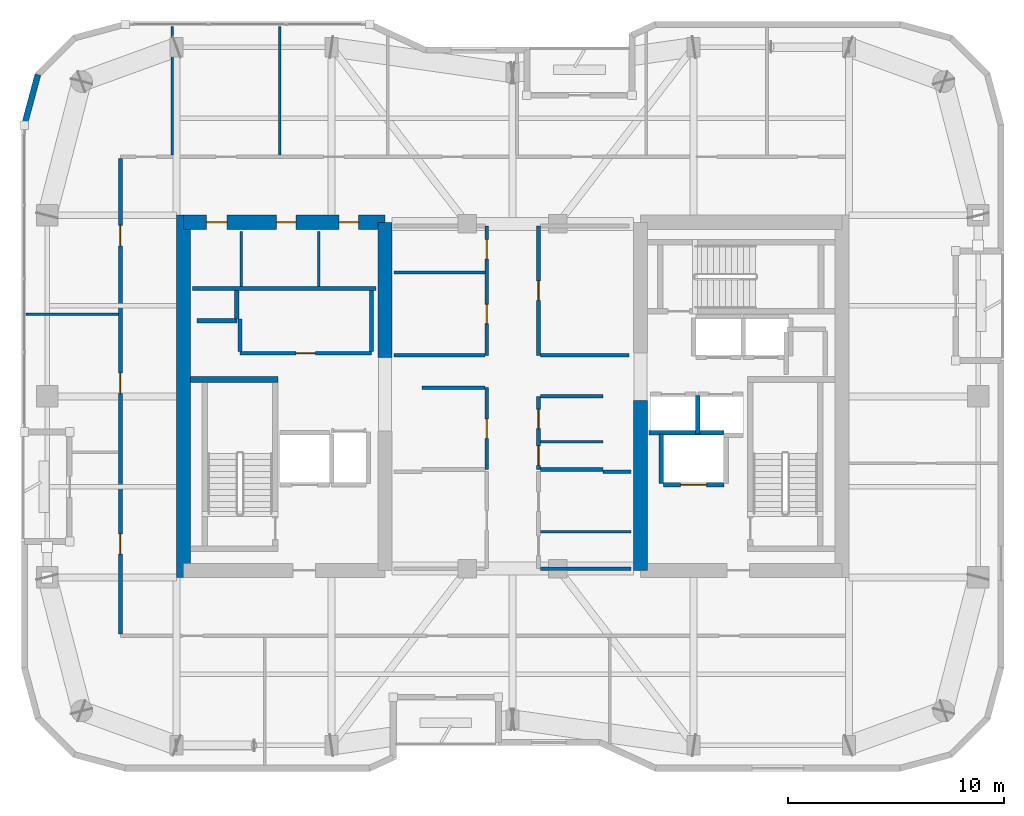
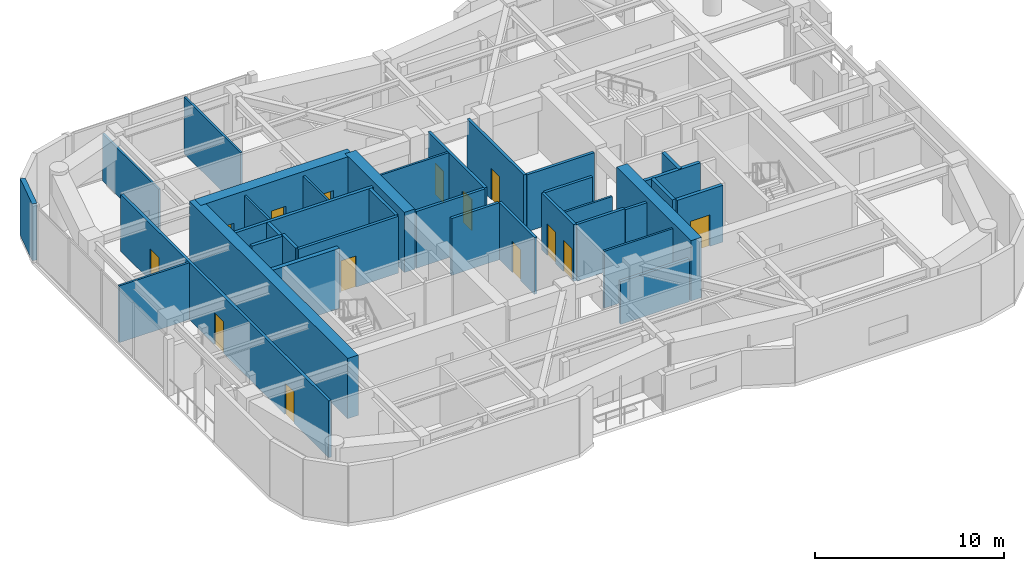
# One storey, part 11 of 15: 36 walls, 14 doors, 14 openings.
"""IFC4 building model written with IfcOpenShell, lengths in metres."""

from ifc_helpers import new_model, si_unit, direction, frame, frame_2d, origin, place, context, subcontext, project, spatial, rectangle, extrude, material, layer, layer_set, type_object, element, fill, save


model = new_model("IFC4")

# Units and contexts
model_context = context("Model", 3, precision=1e-05, world=origin(), true_north=direction((0.0, 1.0)))
body_context = subcontext(model_context, "Body", "Model", "MODEL_VIEW")
ifc_project = project(units=[si_unit("LENGTHUNIT", "METRE"), si_unit("AREAUNIT", "SQUARE_METRE"), si_unit("VOLUMEUNIT", "CUBIC_METRE"), si_unit("PLANEANGLEUNIT", "RADIAN"), si_unit("MASSUNIT", "GRAM", prefix="KILO")], contexts=[model_context])

# Site, building, storey
site_placement = place(None, origin())
site = spatial("IfcSite", under=ifc_project, at=site_placement, CompositionType="ELEMENT")
building_placement = place(site_placement, origin())
building = spatial("IfcBuilding", under=site, at=building_placement, Name="Kiyonajd Concourse Tower", CompositionType="ELEMENT")
storey_placement = place(building_placement, frame((0.0, 0.0, 258.89990234375)))
storey = spatial("IfcBuildingStorey", under=building, at=storey_placement, Name="L65", CompositionType="ELEMENT", Elevation=258.89990234375)

# Walls
ifc_material_1 = material(Name="Concrete C60/75", Category="concrete")
ifc_layer_1 = layer(ifc_material_1, 0.64990234375)
ifc_layer_set_1 = layer_set([ifc_layer_1], Name="Concrete C60/75")
wall_type_1 = type_object("IfcWallType", Name="WL-CORE-650", PredefinedType="SHEAR", material=ifc_layer_set_1)
wall_1_placement = place(storey_placement, frame((32.72509765625, 27.60009765625, 0.0), z_axis=(0.0, 0.0, 1.0), x_axis=(0.0, 1.0, 0.0)))
element("IfcWall", 1, at=wall_1_placement, inside=storey, type_object=wall_type_1, Name="L65 West Core Outer Shear Wall", PredefinedType="SHEAR", context=body_context, shape_type="SweptSolid", body=[
    extrude(rectangle(XDim=16.7998046875, YDim=0.64990234375, at=frame_2d((8.39990234375, 0.0))), origin(), (0.0, 0.0, 1.0), 3.900146484375),
])
wall_2_placement = place(storey_placement, frame((42.074951171875, 37.800048828125, 0.0), z_axis=(0.0, 0.0, 1.0), x_axis=(0.0, 1.0, 0.0)))
element("IfcWall", 2, at=wall_2_placement, inside=storey, type_object=wall_type_1, Name="L65 West Core Inner North Shear Wall", PredefinedType="SHEAR", context=body_context, shape_type="SweptSolid", body=[
    extrude(rectangle(XDim=6.27490234375, YDim=0.64990234375, at=frame_2d((3.137451171875, 0.0))), origin(), (0.0, 0.0, 1.0), 3.900146484375),
])

# Wall, openings, doors
wall_3_placement = place(storey_placement, frame((32.72509765625, 44.074951171875, 0.0), z_axis=(0.0, 0.0, 1.0), x_axis=(1.0, 0.0, 0.0)))
wall_3 = element("IfcWall", 3, at=wall_3_placement, inside=storey, type_object=wall_type_1, Name="L65 West Core North Shear Wall", PredefinedType="SHEAR", context=body_context, shape_type="SweptSolid", body=[
    extrude(rectangle(XDim=9.349853515625, YDim=0.64990234375, at=frame_2d((4.6748046875, 0.0))), origin(), (0.0, 0.0, 1.0), 3.900146484375),
])
opening_1_placement = place(wall_3_placement, frame((1.074951171875, 0.0, 0.0)))
opening_1 = element("IfcOpeningElement", 4, at=opening_1_placement, cuts=wall_3, Name="Opening DI1", PredefinedType="OPENING", context=body_context, shape_type="SweptSolid", body=[
    extrude(rectangle(XDim=0.949951171875, YDim=2.0400390625, at=frame_2d((0.47509765625, 1.02001953125))), frame((0.0, 0.3349609375, 0.0), z_axis=(0.0, -1.0, 0.0), x_axis=(1.0, 0.0, 0.0)), (0.0, 0.0, 1.0), 0.669921875),
])
opening_2_placement = place(wall_3_placement, frame((4.324951171875, 0.0, 0.0)))
opening_2 = element("IfcOpeningElement", 5, at=opening_2_placement, cuts=wall_3, Name="Opening DI2", PredefinedType="OPENING", context=body_context, shape_type="SweptSolid", body=[
    extrude(rectangle(XDim=0.89990234375, YDim=2.02001953125, at=frame_2d((0.449951171875, 1.010009765625))), frame((0.0, 0.3349609375, 0.0), z_axis=(0.0, -1.0, 0.0), x_axis=(1.0, 0.0, 0.0)), (0.0, 0.0, 1.0), 0.669921875),
])
opening_3_placement = place(wall_3_placement, frame((7.22509765625, 0.0, 0.0)))
opening_3 = element("IfcOpeningElement", 6, at=opening_3_placement, cuts=wall_3, Name="Opening DI2", PredefinedType="OPENING", context=body_context, shape_type="SweptSolid", body=[
    extrude(rectangle(XDim=0.89990234375, YDim=2.02001953125, at=frame_2d((0.449951171875, 1.010009765625))), frame((0.0, 0.3349609375, 0.0), z_axis=(0.0, -1.0, 0.0), x_axis=(1.0, 0.0, 0.0)), (0.0, 0.0, 1.0), 0.669921875),
])
ifc_material_2 = material(Name="Natural Oak Acoustic Timber Veneer", Category="wood")
door_type_1 = type_object("IfcDoorType", Name="DR-INT-900", OperationType="NOTDEFINED", PredefinedType="DOOR", material=ifc_material_2)
door_1_placement = place(opening_2_placement, origin())
door_1 = element("IfcDoor", 7, at=door_1_placement, inside=storey, type_object=door_type_1, Name="L65 Male Restroom Door", OperationType="SINGLE_SWING_RIGHT", OverallHeight=2.02001953125, OverallWidth=0.89990234375, PredefinedType="DOOR", context=body_context, shape_type="SweptSolid", body=[
    extrude(rectangle(XDim=0.89990234375, YDim=2.02001953125, at=frame_2d((0.449951171875, 1.010009765625))), frame((0.0, 0.02490234375, 0.0), z_axis=(0.0, -1.0, 0.0), x_axis=(1.0, 0.0, 0.0)), (0.0, 0.0, 1.0), 0.050048828125),
])
fill(opening_2, door_1)
door_2_placement = place(opening_3_placement, origin())
door_2 = element("IfcDoor", 8, at=door_2_placement, inside=storey, type_object=door_type_1, Name="L65 Female Restroom Door", OperationType="SINGLE_SWING_LEFT", OverallHeight=2.02001953125, OverallWidth=0.89990234375, PredefinedType="DOOR", context=body_context, shape_type="SweptSolid", body=[
    extrude(rectangle(XDim=0.89990234375, YDim=2.02001953125, at=frame_2d((0.449951171875, 1.010009765625))), frame((0.0, 0.02490234375, 0.0), z_axis=(0.0, -1.0, 0.0), x_axis=(1.0, 0.0, 0.0)), (0.0, 0.0, 1.0), 0.050048828125),
])
fill(opening_3, door_2)
door_type_2 = type_object("IfcDoorType", Name="DR-INT-950", OperationType="NOTDEFINED", PredefinedType="DOOR", material=ifc_material_2)
door_3_placement = place(opening_1_placement, origin())
door_3 = element("IfcDoor", 9, at=door_3_placement, inside=storey, type_object=door_type_2, Name="L65 Single User Accessible WC Door", OperationType="SINGLE_SWING_LEFT", OverallHeight=2.0400390625, OverallWidth=0.949951171875, PredefinedType="DOOR", context=body_context, shape_type="SweptSolid", body=[
    extrude(rectangle(XDim=0.949951171875, YDim=2.0400390625, at=frame_2d((0.47509765625, 1.02001953125))), frame((0.0, 0.02490234375, 0.0), z_axis=(0.0, -1.0, 0.0), x_axis=(1.0, 0.0, 0.0)), (0.0, 0.0, 1.0), 0.050048828125),
])
fill(opening_1, door_3)

# Walls
wall_4_placement = place(storey_placement, frame((53.925048828125, 27.925048828125, 0.0), z_axis=(0.0, 0.0, 1.0), x_axis=(0.0, 1.0, 0.0)))
element("IfcWall", 10, at=wall_4_placement, inside=storey, type_object=wall_type_1, Name="L65 East Core Inner South Shear Wall", PredefinedType="SHEAR", context=body_context, shape_type="SweptSolid", body=[
    extrude(rectangle(XDim=7.875, YDim=0.64990234375, at=frame_2d((3.9375, 0.0))), origin(), (0.0, 0.0, 1.0), 3.900146484375),
])
ifc_material_3 = material(Name="Precast concrete C50/60", Category="concrete")
ifc_layer_2 = layer(ifc_material_3, 0.280029296875)
ifc_layer_set_2 = layer_set([ifc_layer_2], Name="Precast concrete C50/60")
wall_type_2 = type_object("IfcWallType", Name="WL-EXT-280", PredefinedType="SOLIDWALL", material=ifc_layer_set_2)
wall_5_placement = place(storey_placement, frame((25.340087890625, 48.58154296875, 0.0), z_axis=(0.0, 0.0, 1.0), x_axis=(0.258751159445, 0.965944013639, 0.0)))
element("IfcWall", 11, at=wall_5_placement, inside=storey, type_object=wall_type_2, Name="L65 Exterior Concrete Frame Wall 06", PredefinedType="SOLIDWALL", context=body_context, shape_type="SweptSolid", body=[
    extrude(rectangle(XDim=2.4287109375, YDim=0.280029296875, at=frame_2d((1.21435546875, 0.0))), origin(), (0.0, 0.0, 1.0), 3.68017578125),
])
ifc_material_4 = material(Name="Gypsum Board on Cold-Formed Steel Stud", Category="steel")
ifc_layer_3 = layer(ifc_material_4, 0.125)
ifc_layer_set_3 = layer_set([ifc_layer_3], Name="Gypsum Board on Cold-Formed Steel Stud")
wall_type_3 = type_object("IfcWallType", Name="WL-PART-125", PredefinedType="PARTITIONING", material=ifc_layer_set_3)
for number, where, z_axis, x_axis, name in (
    (12, (35.39990234375, 41.094970703125, 0.0), (0.0, 0.0, 1.0), (0.0, 1.0, 0.0), "L65 Interior Partition Wall"),
    (13, (39.0, 41.094970703125, 0.0), (0.0, 0.0, 1.0), (0.0, 1.0, 0.0), "L65 Interior Partition Wall"),
):
    element("IfcWall", number, at=place(storey_placement, frame(where, z_axis=z_axis, x_axis=x_axis)), inside=storey, type_object=wall_type_3, Name=name, PredefinedType="PARTITIONING", context=body_context, shape_type="SweptSolid", body=[
        extrude(rectangle(XDim=2.554931640625, YDim=0.125, at=frame_2d((1.27734375, 0.0))), origin(), (0.0, 0.0, 1.0), 3.68017578125),
    ])
wall_6_placement = place(storey_placement, frame((49.287109375, 33.89208984375, 0.0), z_axis=(0.0, 0.0, 1.0), x_axis=(1.0, 0.0, 0.0)))
element("IfcWall", 14, at=wall_6_placement, inside=storey, type_object=wall_type_3, Name="L65 Interior Partition Wall", PredefinedType="PARTITIONING", context=body_context, shape_type="SweptSolid", body=[
    extrude(rectangle(XDim=2.912841796875, YDim=0.125, at=frame_2d((1.45654296875, 0.0))), origin(), (0.0, 0.0, 1.0), 3.68017578125),
])
for number, where, z_axis, x_axis, name in (
    (15, (49.287109375, 29.7099609375, 0.0), (0.0, 0.0, 1.0), (1.0, 0.0, 0.0), "L65 Interior Partition Wall"),
    (16, (42.5, 41.739990234375, 0.0), (0.0, 0.0, 1.0), (1.0, 0.0, 0.0), "L65 Interior Partition Wall"),
):
    element("IfcWall", number, at=place(storey_placement, frame(where, z_axis=z_axis, x_axis=x_axis)), inside=storey, type_object=wall_type_3, Name=name, PredefinedType="PARTITIONING", context=body_context, shape_type="SweptSolid", body=[
        extrude(rectangle(XDim=4.212890625, YDim=0.125, at=frame_2d((2.1064453125, 0.0))), origin(), (0.0, 0.0, 1.0), 3.68017578125),
    ])
wall_7_placement = place(storey_placement, frame((32.199951171875, 47.197021484375, 0.0), z_axis=(0.0, 0.0, 1.0), x_axis=(0.0, 1.0, 0.0)))
element("IfcWall", 17, at=wall_7_placement, inside=storey, type_object=wall_type_3, Name="L65 Interior Partition Wall", PredefinedType="PARTITIONING", context=body_context, shape_type="SweptSolid", body=[
    extrude(rectangle(XDim=5.968017578125, YDim=0.125, at=frame_2d((2.98388671875, 0.0))), origin(), (0.0, 0.0, 1.0), 3.05419921875),
])
wall_8_placement = place(storey_placement, frame((37.199951171875, 47.197021484375, 0.0), z_axis=(0.0, 0.0, 1.0), x_axis=(0.0, 1.0, 0.0)))
element("IfcWall", 18, at=wall_8_placement, inside=storey, type_object=wall_type_3, Name="L65 Interior Partition Wall", PredefinedType="PARTITIONING", context=body_context, shape_type="SweptSolid", body=[
    extrude(rectangle(XDim=5.968017578125, YDim=0.125, at=frame_2d((2.98388671875, 0.0))), origin(), (0.0, 0.0, 1.0), 3.68017578125),
])
wall_9_placement = place(storey_placement, frame((25.425048828125, 39.800048828125, 0.0), z_axis=(0.0, 0.0, 1.0), x_axis=(1.0, 0.0, 0.0)))
element("IfcWall", 19, at=wall_9_placement, inside=storey, type_object=wall_type_3, Name="L65 Interior Partition Wall", PredefinedType="PARTITIONING", context=body_context, shape_type="SweptSolid", body=[
    extrude(rectangle(XDim=4.287841796875, YDim=0.125, at=frame_2d((2.14404296875, 0.0))), origin(), (0.0, 0.0, 1.0), 3.68017578125),
])
ifc_layer_4 = layer(ifc_material_4, 0.18994140625)
ifc_layer_set_4 = layer_set([ifc_layer_4], Name="Gypsum Board on Cold-Formed Steel Stud")
wall_type_4 = type_object("IfcWallType", Name="WL-PLMB-190", PredefinedType="PLUMBINGWALL", material=ifc_layer_set_4)
wall_10_placement = place(storey_placement, frame((33.14990234375, 41.0, 0.0), z_axis=(0.0, 0.0, 1.0), x_axis=(1.0, 0.0, 0.0)))
element("IfcWall", 20, at=wall_10_placement, inside=storey, type_object=wall_type_4, Name="L65 Interior Partition Wall", PredefinedType="PLUMBINGWALL", context=body_context, shape_type="SweptSolid", body=[
    extrude(rectangle(XDim=8.5, YDim=0.18994140625, at=frame_2d((4.25, 0.0))), origin(), (0.0, 0.0, 1.0), 3.68017578125),
])
ifc_layer_5 = layer(ifc_material_4, 0.2099609375)
ifc_layer_set_5 = layer_set([ifc_layer_5], Name="Gypsum Board on Cold-Formed Steel Stud")
wall_type_5 = type_object("IfcWallType", Name="WL-SHAFT-210", PredefinedType="PARTITIONING", material=ifc_layer_set_5)
wall_11_placement = place(storey_placement, frame((33.360107421875, 39.5, 0.0), z_axis=(0.0, 0.0, 1.0), x_axis=(1.0, 0.0, 0.0)))
element("IfcWall", 21, at=wall_11_placement, inside=storey, type_object=wall_type_5, Name="L65 Shaft Enclosure Wall", PredefinedType="PARTITIONING", context=body_context, shape_type="SweptSolid", body=[
    extrude(rectangle(XDim=1.85986328125, YDim=0.2099609375, at=frame_2d((0.929931640625, 0.0))), origin(), (0.0, 0.0, 1.0), 3.68017578125),
])
wall_12_placement = place(storey_placement, frame((35.199951171875, 39.580078125, 0.0), z_axis=(0.0, 0.0, 1.0), x_axis=(0.0, 1.0, 0.0)))
element("IfcWall", 22, at=wall_12_placement, inside=storey, type_object=wall_type_5, Name="L65 Shaft Enclosure Wall", PredefinedType="PARTITIONING", context=body_context, shape_type="SweptSolid", body=[
    extrude(rectangle(XDim=1.31982421875, YDim=0.2099609375, at=frame_2d((0.659912109375, 0.0))), origin(), (0.0, 0.0, 1.0), 3.68017578125),
])

# Wall, opening, door
wall_13_placement = place(storey_placement, frame((55.0, 31.89990234375, 0.0), z_axis=(0.0, 0.0, 1.0), x_axis=(1.0, 0.0, 0.0)))
wall_13 = element("IfcWall", 23, at=wall_13_placement, inside=storey, type_object=wall_type_5, Name="L65 Shaft Enclosure Wall", PredefinedType="PARTITIONING", context=body_context, shape_type="SweptSolid", body=[
    extrude(rectangle(XDim=2.800048828125, YDim=0.2099609375, at=frame_2d((1.39990234375, 0.0))), origin(), (0.0, 0.0, 1.0), 3.68017578125),
])
opening_4_placement = place(wall_13_placement, frame((0.800048828125, 0.0, 0.0)))
opening_4 = element("IfcOpeningElement", 24, at=opening_4_placement, cuts=wall_13, Name="Opening LD2", PredefinedType="OPENING", context=body_context, shape_type="SweptSolid", body=[
    extrude(rectangle(XDim=1.199951171875, YDim=2.0400390625, at=frame_2d((0.60009765625, 1.02001953125))), frame((0.0, 0.114990234375, 0.0), z_axis=(0.0, -1.0, 0.0), x_axis=(1.0, 0.0, 0.0)), (0.0, 0.0, 1.0), 0.22998046875),
])
ifc_material_5 = material(Name="Brushed Stainless Steel Cab Assembly", Category="steel")
door_type_3 = type_object("IfcDoorType", Name="DR-LD-1200", OperationType="DOUBLE_DOOR_SLIDING", PredefinedType="DOOR", material=ifc_material_5)
door_4_placement = place(opening_4_placement, origin())
door_4 = element("IfcDoor", 25, at=door_4_placement, inside=storey, type_object=door_type_3, Name="L65 Lift FFL2 Sliding Landing Door", OperationType="DOUBLE_DOOR_SLIDING", OverallHeight=2.0400390625, OverallWidth=1.199951171875, PredefinedType="DOOR", context=body_context, shape_type="SweptSolid", body=[
    extrude(rectangle(XDim=1.199951171875, YDim=2.0400390625, at=frame_2d((0.60009765625, 1.02001953125))), frame((0.0, 0.02490234375, 0.0), z_axis=(0.0, -1.0, 0.0), x_axis=(1.0, 0.0, 0.0)), (0.0, 0.0, 1.0), 0.050048828125),
])
fill(opening_4, door_4)

# Walls
wall_14_placement = place(storey_placement, frame((54.320068359375, 34.300048828125, 0.0), z_axis=(0.0, 0.0, 1.0), x_axis=(1.0, 0.0, 0.0)))
element("IfcWall", 26, at=wall_14_placement, inside=storey, type_object=wall_type_5, Name="L65 Shaft Enclosure Wall", PredefinedType="PARTITIONING", context=body_context, shape_type="SweptSolid", body=[
    extrude(rectangle(XDim=3.47998046875, YDim=0.2099609375, at=frame_2d((1.739990234375, 0.0))), origin(), (0.0, 0.0, 1.0), 3.68017578125),
])
wall_15_placement = place(storey_placement, frame((54.89990234375, 31.9599609375, 0.0), z_axis=(0.0, 0.0, 1.0), x_axis=(0.0, 1.0, 0.0)))
element("IfcWall", 27, at=wall_15_placement, inside=storey, type_object=wall_type_5, Name="L65 Shaft Enclosure Wall", PredefinedType="PARTITIONING", context=body_context, shape_type="SweptSolid", body=[
    extrude(rectangle(XDim=2.280029296875, YDim=0.2099609375, at=frame_2d((1.14013671875, 0.0))), origin(), (0.0, 0.0, 1.0), 3.68017578125),
])
wall_16_placement = place(storey_placement, frame((56.60009765625, 34.260009765625, 0.0), z_axis=(0.0, 0.0, 1.0), x_axis=(0.0, 1.0, 0.0)))
element("IfcWall", 28, at=wall_16_placement, inside=storey, type_object=wall_type_5, Name="L65 Shaft Enclosure Wall", PredefinedType="PARTITIONING", context=body_context, shape_type="SweptSolid", body=[
    extrude(rectangle(XDim=1.780029296875, YDim=0.2099609375, at=frame_2d((0.89013671875, 0.0))), origin(), (0.0, 0.0, 1.0), 3.68017578125),
])

# Wall, opening, door
ifc_layer_6 = layer(ifc_material_4, 0.169921875)
ifc_layer_set_6 = layer_set([ifc_layer_6], Name="Gypsum Board on Cold-Formed Steel Stud")
wall_type_6 = type_object("IfcWallType", Name="WL-SMK-170", PredefinedType="PARTITIONING", material=ifc_layer_set_6)
wall_17_placement = place(storey_placement, frame((35.35009765625, 38.0, 0.0), z_axis=(0.0, 0.0, 1.0), x_axis=(1.0, 0.0, 0.0)))
wall_17 = element("IfcWall", 29, at=wall_17_placement, inside=storey, type_object=wall_type_6, Name="L65 Interior Partition Wall", PredefinedType="PARTITIONING", context=body_context, shape_type="SweptSolid", body=[
    extrude(rectangle(XDim=6.099853515625, YDim=0.169921875, at=frame_2d((3.0498046875, 0.0))), origin(), (0.0, 0.0, 1.0), 3.68017578125),
])
opening_5_placement = place(wall_17_placement, frame((2.60009765625, 0.0, 0.0)))
opening_5 = element("IfcOpeningElement", 30, at=opening_5_placement, cuts=wall_17, Name="Opening DI2", PredefinedType="OPENING", context=body_context, shape_type="SweptSolid", body=[
    extrude(rectangle(XDim=0.89990234375, YDim=2.02001953125, at=frame_2d((0.449951171875, 1.010009765625))), frame((0.0, 0.094970703125, 0.0), z_axis=(0.0, -1.0, 0.0), x_axis=(1.0, 0.0, 0.0)), (0.0, 0.0, 1.0), 0.18994140625),
])
door_5_placement = place(opening_5_placement, origin())
door_5 = element("IfcDoor", 31, at=door_5_placement, inside=storey, type_object=door_type_1, Name="L65 Interior Door", OperationType="SINGLE_SWING_LEFT", OverallHeight=2.02001953125, OverallWidth=0.89990234375, PredefinedType="DOOR", context=body_context, shape_type="SweptSolid", body=[
    extrude(rectangle(XDim=0.89990234375, YDim=2.02001953125, at=frame_2d((0.449951171875, 1.010009765625))), frame((0.0, 0.02490234375, 0.0), z_axis=(0.0, -1.0, 0.0), x_axis=(1.0, 0.0, 0.0)), (0.0, 0.0, 1.0), 0.050048828125),
])
fill(opening_5, door_5)

# Walls
wall_18_placement = place(storey_placement, frame((35.35009765625, 38.0869140625, 0.0), z_axis=(0.0, 0.0, 1.0), x_axis=(0.0, 1.0, 0.0)))
element("IfcWall", 32, at=wall_18_placement, inside=storey, type_object=wall_type_6, Name="L65 Interior Partition Wall", PredefinedType="PARTITIONING", context=body_context, shape_type="SweptSolid", body=[
    extrude(rectangle(XDim=1.4931640625, YDim=0.169921875, at=frame_2d((0.74658203125, 0.0))), origin(), (0.0, 0.0, 1.0), 3.68017578125),
])
wall_19_placement = place(storey_placement, frame((41.449951171875, 38.0869140625, 0.0), z_axis=(0.0, 0.0, 1.0), x_axis=(0.0, 1.0, 0.0)))
element("IfcWall", 33, at=wall_19_placement, inside=storey, type_object=wall_type_6, Name="L65 Interior Partition Wall", PredefinedType="PARTITIONING", context=body_context, shape_type="SweptSolid", body=[
    extrude(rectangle(XDim=2.81298828125, YDim=0.169921875, at=frame_2d((1.406494140625, 0.0))), origin(), (0.0, 0.0, 1.0), 3.68017578125),
])

# Wall, opening, door
wall_20_placement = place(storey_placement, frame((46.800048828125, 32.60009765625, 0.0), z_axis=(0.0, 0.0, 1.0), x_axis=(0.0, 1.0, 0.0)))
wall_20 = element("IfcWall", 34, at=wall_20_placement, inside=storey, type_object=wall_type_6, Name="L65 Interior Partition Wall", PredefinedType="PARTITIONING", context=body_context, shape_type="SweptSolid", body=[
    extrude(rectangle(XDim=3.7998046875, YDim=0.169921875, at=frame_2d((1.89990234375, 0.0))), origin(), (0.0, 0.0, 1.0), 3.68017578125),
])
opening_6_placement = place(wall_20_placement, frame((1.449951171875, 0.0, 0.0)))
opening_6 = element("IfcOpeningElement", 35, at=opening_6_placement, cuts=wall_20, Name="Opening DI2", PredefinedType="OPENING", context=body_context, shape_type="SweptSolid", body=[
    extrude(rectangle(XDim=0.89990234375, YDim=2.02001953125, at=frame_2d((0.449951171875, 1.010009765625))), frame((0.0, 0.094970703125, 0.0), z_axis=(0.0, -1.0, 0.0), x_axis=(1.0, 0.0, 0.0)), (0.0, 0.0, 1.0), 0.18994140625),
])
door_6_placement = place(opening_6_placement, origin())
door_6 = element("IfcDoor", 36, at=door_6_placement, inside=storey, type_object=door_type_1, Name="L65 Interior Door", OperationType="SINGLE_SWING_RIGHT", OverallHeight=2.02001953125, OverallWidth=0.89990234375, PredefinedType="DOOR", context=body_context, shape_type="SweptSolid", body=[
    extrude(rectangle(XDim=0.89990234375, YDim=2.02001953125, at=frame_2d((0.449951171875, 1.010009765625))), frame((0.0, 0.02490234375, 0.0), z_axis=(0.0, -1.0, 0.0), x_axis=(1.0, 0.0, 0.0)), (0.0, 0.0, 1.0), 0.050048828125),
])
fill(opening_6, door_6)

# Wall
wall_21_placement = place(storey_placement, frame((43.800048828125, 36.39990234375, 0.0), z_axis=(0.0, 0.0, 1.0), x_axis=(1.0, 0.0, 0.0)))
element("IfcWall", 37, at=wall_21_placement, inside=storey, type_object=wall_type_6, Name="L65 Interior Partition Wall", PredefinedType="PARTITIONING", context=body_context, shape_type="SweptSolid", body=[
    extrude(rectangle(XDim=2.912841796875, YDim=0.169921875, at=frame_2d((1.45654296875, 0.0))), origin(), (0.0, 0.0, 1.0), 3.68017578125),
])

# Wall, openings, doors
wall_22_placement = place(storey_placement, frame((49.199951171875, 32.60009765625, 0.0), z_axis=(0.0, 0.0, 1.0), x_axis=(0.0, 1.0, 0.0)))
wall_22 = element("IfcWall", 38, at=wall_22_placement, inside=storey, type_object=wall_type_6, Name="L65 Interior Partition Wall", PredefinedType="PARTITIONING", context=body_context, shape_type="SweptSolid", body=[
    extrude(rectangle(XDim=3.39990234375, YDim=0.169921875, at=frame_2d((1.699951171875, 0.0))), origin(), (0.0, 0.0, 1.0), 3.68017578125),
])
opening_7_placement = place(wall_22_placement, frame((0.196044921875, 0.0, 0.0)))
opening_7 = element("IfcOpeningElement", 39, at=opening_7_placement, cuts=wall_22, Name="Opening DI2", PredefinedType="OPENING", context=body_context, shape_type="SweptSolid", body=[
    extrude(rectangle(XDim=0.89990234375, YDim=2.02001953125, at=frame_2d((0.449951171875, 1.010009765625))), frame((0.0, 0.094970703125, 0.0), z_axis=(0.0, -1.0, 0.0), x_axis=(1.0, 0.0, 0.0)), (0.0, 0.0, 1.0), 0.18994140625),
])
opening_8_placement = place(wall_22_placement, frame((1.89599609375, 0.0, 0.0)))
opening_8 = element("IfcOpeningElement", 40, at=opening_8_placement, cuts=wall_22, Name="Opening DI2", PredefinedType="OPENING", context=body_context, shape_type="SweptSolid", body=[
    extrude(rectangle(XDim=0.89990234375, YDim=2.02001953125, at=frame_2d((0.449951171875, 1.010009765625))), frame((0.0, 0.094970703125, 0.0), z_axis=(0.0, -1.0, 0.0), x_axis=(1.0, 0.0, 0.0)), (0.0, 0.0, 1.0), 0.18994140625),
])
door_7_placement = place(opening_7_placement, origin())
door_7 = element("IfcDoor", 41, at=door_7_placement, inside=storey, type_object=door_type_1, Name="L65 Interior Door", OperationType="SINGLE_SWING_LEFT", OverallHeight=2.02001953125, OverallWidth=0.89990234375, PredefinedType="DOOR", context=body_context, shape_type="SweptSolid", body=[
    extrude(rectangle(XDim=0.89990234375, YDim=2.02001953125, at=frame_2d((0.449951171875, 1.010009765625))), frame((0.0, 0.02490234375, 0.0), z_axis=(0.0, -1.0, 0.0), x_axis=(1.0, 0.0, 0.0)), (0.0, 0.0, 1.0), 0.050048828125),
])
fill(opening_7, door_7)
door_8_placement = place(opening_8_placement, origin())
door_8 = element("IfcDoor", 42, at=door_8_placement, inside=storey, type_object=door_type_1, Name="L65 Interior Door", OperationType="SINGLE_SWING_RIGHT", OverallHeight=2.02001953125, OverallWidth=0.89990234375, PredefinedType="DOOR", context=body_context, shape_type="SweptSolid", body=[
    extrude(rectangle(XDim=0.89990234375, YDim=2.02001953125, at=frame_2d((0.449951171875, 1.010009765625))), frame((0.0, 0.02490234375, 0.0), z_axis=(0.0, -1.0, 0.0), x_axis=(1.0, 0.0, 0.0)), (0.0, 0.0, 1.0), 0.050048828125),
])
fill(opening_8, door_8)

# Walls
for number, where, z_axis, x_axis, name in (
    (43, (49.287109375, 32.60009765625, 0.0), (0.0, 0.0, 1.0), (1.0, 0.0, 0.0), "L65 Interior Partition Wall"),
    (44, (49.287109375, 36.0, 0.0), (0.0, 0.0, 1.0), (1.0, 0.0, 0.0), "L65 Interior Partition Wall"),
):
    element("IfcWall", number, at=place(storey_placement, frame(where, z_axis=z_axis, x_axis=x_axis)), inside=storey, type_object=wall_type_6, Name=name, PredefinedType="PARTITIONING", context=body_context, shape_type="SweptSolid", body=[
        extrude(rectangle(XDim=2.912841796875, YDim=0.169921875, at=frame_2d((1.45654296875, 0.0))), origin(), (0.0, 0.0, 1.0), 3.68017578125),
    ])
wall_23_placement = place(storey_placement, frame((49.287109375, 28.0, 0.0), z_axis=(0.0, 0.0, 1.0), x_axis=(1.0, 0.0, 0.0)))
element("IfcWall", 45, at=wall_23_placement, inside=storey, type_object=wall_type_6, Name="L65 Interior Partition Wall", PredefinedType="PARTITIONING", context=body_context, shape_type="SweptSolid", body=[
    extrude(rectangle(XDim=4.212890625, YDim=0.169921875, at=frame_2d((2.1064453125, 0.0))), origin(), (0.0, 0.0, 1.0), 2.76513671875),
])
wall_24_placement = place(storey_placement, frame((52.199951171875, 32.5, 0.0), z_axis=(0.0, 0.0, 1.0), x_axis=(1.0, 0.0, 0.0)))
element("IfcWall", 46, at=wall_24_placement, inside=storey, type_object=wall_type_6, Name="L65 Interior Partition Wall", PredefinedType="PARTITIONING", context=body_context, shape_type="SweptSolid", body=[
    extrude(rectangle(XDim=1.300048828125, YDim=0.169921875, at=frame_2d((0.64990234375, 0.0))), origin(), (0.0, 0.0, 1.0), 3.68017578125),
])

# Wall, openings, doors
wall_25_placement = place(storey_placement, frame((46.800048828125, 37.89990234375, 0.0), z_axis=(0.0, 0.0, 1.0), x_axis=(0.0, 1.0, 0.0)))
wall_25 = element("IfcWall", 47, at=wall_25_placement, inside=storey, type_object=wall_type_6, Name="L65 Interior Partition Wall", PredefinedType="PARTITIONING", context=body_context, shape_type="SweptSolid", body=[
    extrude(rectangle(XDim=6.0, YDim=0.169921875, at=frame_2d((3.0, 0.0))), origin(), (0.0, 0.0, 1.0), 3.68017578125),
])
opening_9_placement = place(wall_25_placement, frame((1.469970703125, 0.0, 0.0)))
opening_9 = element("IfcOpeningElement", 48, at=opening_9_placement, cuts=wall_25, Name="Opening DF4", PredefinedType="OPENING", context=body_context, shape_type="SweptSolid", body=[
    extrude(rectangle(XDim=0.89990234375, YDim=2.02001953125, at=frame_2d((0.449951171875, 1.010009765625))), frame((0.0, 0.094970703125, 0.0), z_axis=(0.0, -1.0, 0.0), x_axis=(1.0, 0.0, 0.0)), (0.0, 0.0, 1.0), 0.18994140625),
])
opening_10_placement = place(wall_25_placement, frame((4.469970703125, 0.0, 0.0)))
opening_10 = element("IfcOpeningElement", 49, at=opening_10_placement, cuts=wall_25, Name="Opening DF4", PredefinedType="OPENING", context=body_context, shape_type="SweptSolid", body=[
    extrude(rectangle(XDim=0.89990234375, YDim=2.02001953125, at=frame_2d((0.449951171875, 1.010009765625))), frame((0.0, 0.094970703125, 0.0), z_axis=(0.0, -1.0, 0.0), x_axis=(1.0, 0.0, 0.0)), (0.0, 0.0, 1.0), 0.18994140625),
])
door_type_4 = type_object("IfcDoorType", Name="DR-FD60-900", OperationType="NOTDEFINED", PredefinedType="DOOR", material=ifc_material_5)
door_9_placement = place(opening_9_placement, origin())
door_9 = element("IfcDoor", 50, at=door_9_placement, inside=storey, type_object=door_type_4, Name="L65 Interior Door", OperationType="SINGLE_SWING_RIGHT", OverallHeight=2.02001953125, OverallWidth=0.89990234375, PredefinedType="DOOR", context=body_context, shape_type="SweptSolid", body=[
    extrude(rectangle(XDim=0.89990234375, YDim=2.02001953125, at=frame_2d((0.449951171875, 1.010009765625))), frame((0.0, 0.02490234375, 0.0), z_axis=(0.0, -1.0, 0.0), x_axis=(1.0, 0.0, 0.0)), (0.0, 0.0, 1.0), 0.050048828125),
])
fill(opening_9, door_9)
door_10_placement = place(opening_10_placement, origin())
door_10 = element("IfcDoor", 51, at=door_10_placement, inside=storey, type_object=door_type_4, Name="L65 Interior Door", OperationType="SINGLE_SWING_LEFT", OverallHeight=2.02001953125, OverallWidth=0.89990234375, PredefinedType="DOOR", context=body_context, shape_type="SweptSolid", body=[
    extrude(rectangle(XDim=0.89990234375, YDim=2.02001953125, at=frame_2d((0.449951171875, 1.010009765625))), frame((0.0, 0.02490234375, 0.0), z_axis=(0.0, -1.0, 0.0), x_axis=(1.0, 0.0, 0.0)), (0.0, 0.0, 1.0), 0.050048828125),
])
fill(opening_10, door_10)

# Wall
wall_26_placement = place(storey_placement, frame((42.5, 37.89990234375, 0.0), z_axis=(0.0, 0.0, 1.0), x_axis=(1.0, 0.0, 0.0)))
element("IfcWall", 52, at=wall_26_placement, inside=storey, type_object=wall_type_6, Name="L65 Interior Partition Wall", PredefinedType="PARTITIONING", context=body_context, shape_type="SweptSolid", body=[
    extrude(rectangle(XDim=4.212890625, YDim=0.169921875, at=frame_2d((2.1064453125, 0.0))), origin(), (0.0, 0.0, 1.0), 3.68017578125),
])

# Wall, opening, door
wall_27_placement = place(storey_placement, frame((49.199951171875, 37.89990234375, 0.0), z_axis=(0.0, 0.0, 1.0), x_axis=(0.0, 1.0, 0.0)))
wall_27 = element("IfcWall", 53, at=wall_27_placement, inside=storey, type_object=wall_type_6, Name="L65 Interior Partition Wall", PredefinedType="PARTITIONING", context=body_context, shape_type="SweptSolid", body=[
    extrude(rectangle(XDim=6.0, YDim=0.169921875, at=frame_2d((3.0, 0.0))), origin(), (0.0, 0.0, 1.0), 3.68017578125),
])
opening_11_placement = place(wall_27_placement, frame((2.550048828125, 0.0, 0.0)))
opening_11 = element("IfcOpeningElement", 54, at=opening_11_placement, cuts=wall_27, Name="Opening DI2", PredefinedType="OPENING", context=body_context, shape_type="SweptSolid", body=[
    extrude(rectangle(XDim=0.89990234375, YDim=2.02001953125, at=frame_2d((0.449951171875, 1.010009765625))), frame((0.0, 0.094970703125, 0.0), z_axis=(0.0, -1.0, 0.0), x_axis=(1.0, 0.0, 0.0)), (0.0, 0.0, 1.0), 0.18994140625),
])
door_11_placement = place(opening_11_placement, origin())
door_11 = element("IfcDoor", 55, at=door_11_placement, inside=storey, type_object=door_type_1, Name="L65 Interior Door", OperationType="SINGLE_SWING_RIGHT", OverallHeight=2.02001953125, OverallWidth=0.89990234375, PredefinedType="DOOR", context=body_context, shape_type="SweptSolid", body=[
    extrude(rectangle(XDim=0.89990234375, YDim=2.02001953125, at=frame_2d((0.449951171875, 1.010009765625))), frame((0.0, 0.02490234375, 0.0), z_axis=(0.0, -1.0, 0.0), x_axis=(1.0, 0.0, 0.0)), (0.0, 0.0, 1.0), 0.050048828125),
])
fill(opening_11, door_11)

# Wall
wall_28_placement = place(storey_placement, frame((49.287109375, 37.89990234375, 0.0), z_axis=(0.0, 0.0, 1.0), x_axis=(1.0, 0.0, 0.0)))
element("IfcWall", 56, at=wall_28_placement, inside=storey, type_object=wall_type_6, Name="L65 Interior Partition Wall", PredefinedType="PARTITIONING", context=body_context, shape_type="SweptSolid", body=[
    extrude(rectangle(XDim=4.11279296875, YDim=0.169921875, at=frame_2d((2.056396484375, 0.0))), origin(), (0.0, 0.0, 1.0), 3.68017578125),
])

# Wall, openings, doors
wall_29_placement = place(storey_placement, frame((29.800048828125, 24.97705078125, 0.0), z_axis=(0.0, 0.0, 1.0), x_axis=(0.0, 1.0, 0.0)))
wall_29 = element("IfcWall", 57, at=wall_29_placement, inside=storey, type_object=wall_type_6, Name="L65 Interior Partition Wall", PredefinedType="PARTITIONING", context=body_context, shape_type="SweptSolid", body=[
    extrude(rectangle(XDim=22.0458984375, YDim=0.169921875, at=frame_2d((11.02294921875, 0.0))), origin(), (0.0, 0.0, 1.0), 3.68017578125),
])
opening_12_placement = place(wall_29_placement, frame((3.693115234375, 0.0, 0.0)))
opening_12 = element("IfcOpeningElement", 58, at=opening_12_placement, cuts=wall_29, Name="Opening DI1", PredefinedType="OPENING", context=body_context, shape_type="SweptSolid", body=[
    extrude(rectangle(XDim=0.949951171875, YDim=2.0400390625, at=frame_2d((0.47509765625, 1.02001953125))), frame((0.0, 0.094970703125, 0.0), z_axis=(0.0, -1.0, 0.0), x_axis=(1.0, 0.0, 0.0)), (0.0, 0.0, 1.0), 0.18994140625),
])
opening_13_placement = place(wall_29_placement, frame((11.14794921875, 0.0, 0.0)))
opening_13 = element("IfcOpeningElement", 59, at=opening_13_placement, cuts=wall_29, Name="Opening DI1", PredefinedType="OPENING", context=body_context, shape_type="SweptSolid", body=[
    extrude(rectangle(XDim=0.949951171875, YDim=2.0400390625, at=frame_2d((0.47509765625, 1.02001953125))), frame((0.0, 0.094970703125, 0.0), z_axis=(0.0, -1.0, 0.0), x_axis=(1.0, 0.0, 0.0)), (0.0, 0.0, 1.0), 0.18994140625),
])
opening_14_placement = place(wall_29_placement, frame((18.0029296875, 0.0, 0.0)))
opening_14 = element("IfcOpeningElement", 60, at=opening_14_placement, cuts=wall_29, Name="Opening DI1", PredefinedType="OPENING", context=body_context, shape_type="SweptSolid", body=[
    extrude(rectangle(XDim=0.949951171875, YDim=2.0400390625, at=frame_2d((0.47509765625, 1.02001953125))), frame((0.0, 0.094970703125, 0.0), z_axis=(0.0, -1.0, 0.0), x_axis=(1.0, 0.0, 0.0)), (0.0, 0.0, 1.0), 0.18994140625),
])
door_12_placement = place(opening_12_placement, origin())
door_12 = element("IfcDoor", 61, at=door_12_placement, inside=storey, type_object=door_type_2, Name="L65 Interior Door", OperationType="SINGLE_SWING_LEFT", OverallHeight=2.0400390625, OverallWidth=0.949951171875, PredefinedType="DOOR", context=body_context, shape_type="SweptSolid", body=[
    extrude(rectangle(XDim=0.949951171875, YDim=2.0400390625, at=frame_2d((0.47509765625, 1.02001953125))), frame((0.0, 0.02490234375, 0.0), z_axis=(0.0, -1.0, 0.0), x_axis=(1.0, 0.0, 0.0)), (0.0, 0.0, 1.0), 0.050048828125),
])
fill(opening_12, door_12)
door_13_placement = place(opening_13_placement, origin())
door_13 = element("IfcDoor", 62, at=door_13_placement, inside=storey, type_object=door_type_2, Name="L65 Interior Door", OperationType="SINGLE_SWING_RIGHT", OverallHeight=2.0400390625, OverallWidth=0.949951171875, PredefinedType="DOOR", context=body_context, shape_type="SweptSolid", body=[
    extrude(rectangle(XDim=0.949951171875, YDim=2.0400390625, at=frame_2d((0.47509765625, 1.02001953125))), frame((0.0, 0.02490234375, 0.0), z_axis=(0.0, -1.0, 0.0), x_axis=(1.0, 0.0, 0.0)), (0.0, 0.0, 1.0), 0.050048828125),
])
fill(opening_13, door_13)
door_14_placement = place(opening_14_placement, origin())
door_14 = element("IfcDoor", 63, at=door_14_placement, inside=storey, type_object=door_type_2, Name="L65 Interior Door", OperationType="SINGLE_SWING_LEFT", OverallHeight=2.0400390625, OverallWidth=0.949951171875, PredefinedType="DOOR", context=body_context, shape_type="SweptSolid", body=[
    extrude(rectangle(XDim=0.949951171875, YDim=2.0400390625, at=frame_2d((0.47509765625, 1.02001953125))), frame((0.0, 0.02490234375, 0.0), z_axis=(0.0, -1.0, 0.0), x_axis=(1.0, 0.0, 0.0)), (0.0, 0.0, 1.0), 0.050048828125),
])
fill(opening_14, door_14)

# Wall
ifc_material_6 = material(Name="Concrete C50/60", Category="concrete")
ifc_layer_7 = layer(ifc_material_6, 0.260009765625)
ifc_layer_set_7 = layer_set([ifc_layer_7], Name="Concrete C50/60")
wall_type_7 = type_object("IfcWallType", Name="WL-STAIR-260", PredefinedType="SHEAR", material=ifc_layer_set_7)
wall_30_placement = place(storey_placement, frame((33.050048828125, 36.780029296875, 0.0), z_axis=(0.0, 0.0, 1.0), x_axis=(1.0, 0.0, 0.0)))
element("IfcWall", 64, at=wall_30_placement, inside=storey, type_object=wall_type_7, Name="L65 Stair ST1 Structural North Wall", PredefinedType="SHEAR", context=body_context, shape_type="SweptSolid", body=[
    extrude(rectangle(XDim=4.06005859375, YDim=0.260009765625, at=frame_2d((2.030029296875, 0.0))), origin(), (0.0, 0.0, 1.0), 3.900146484375),
])

save(model, "model.ifc")
